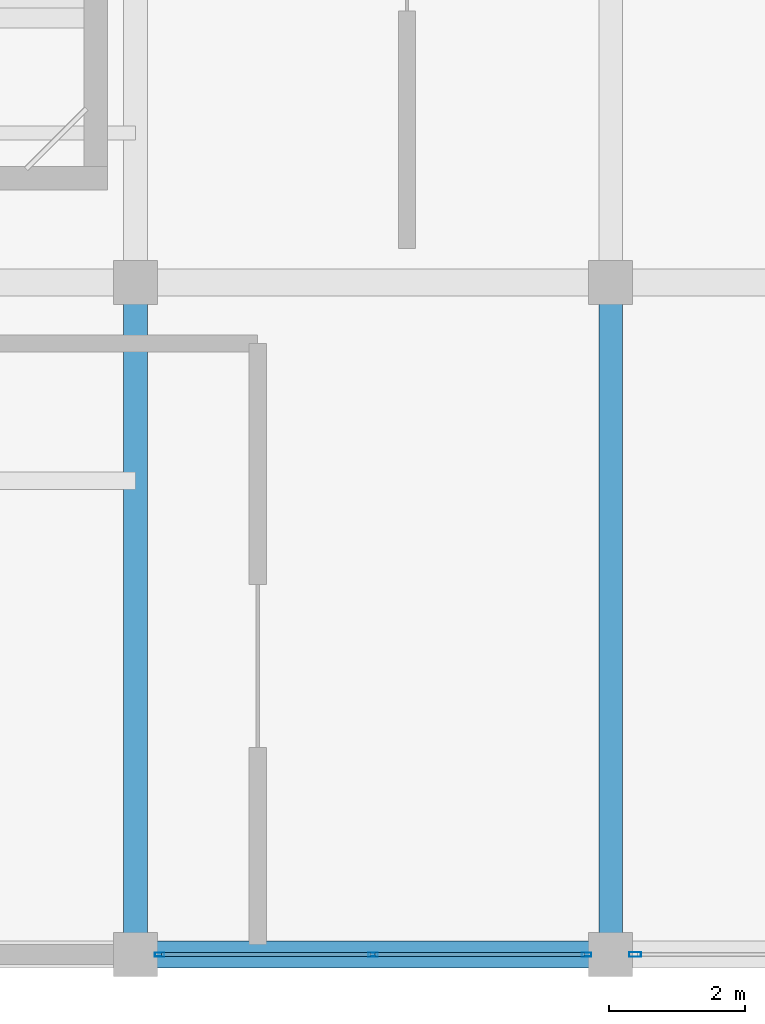
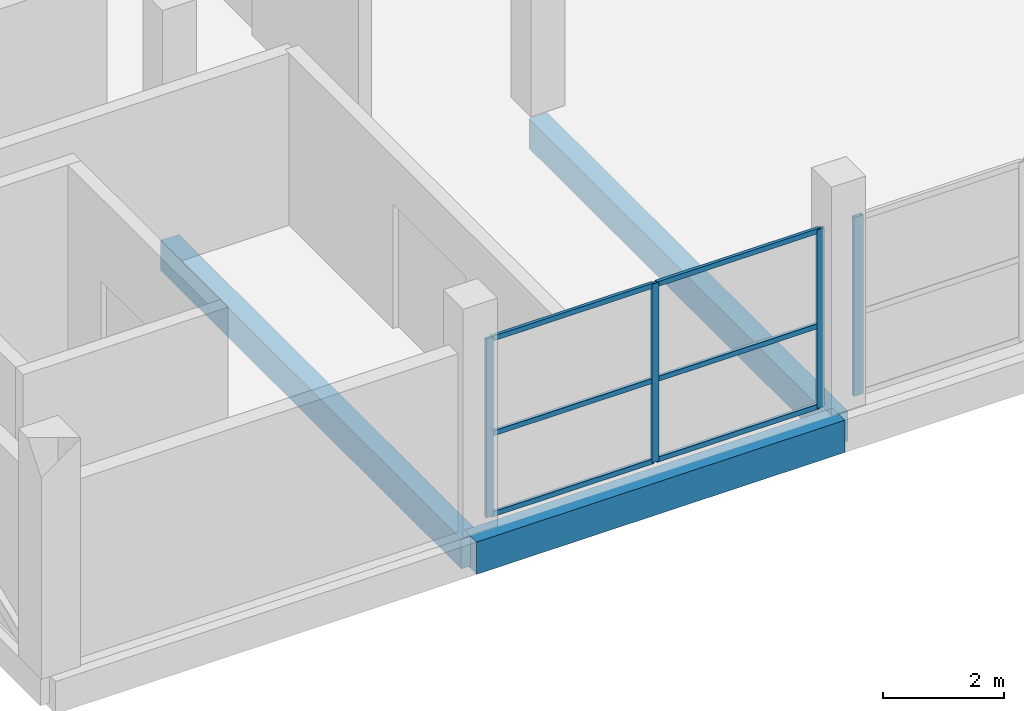
# One storey, part 2 of 69: 10 members, 3 beams, 2 elements without a shape of their own.
"""IFC4 building model written with IfcOpenShell, lengths in metres."""

from ifc_helpers import new_model, si_unit, direction, frame, origin, origin_2d, place, context, subcontext, project, spatial, rectangle, hollow_rectangle, extrude, material, layer, layer_set, material_profile, profile_set, type_object, element, aggregate, save


model = new_model("IFC4")

# Units and contexts
model_context = context("Model", 3, precision=1e-05, world=origin(), true_north=direction((0.0, 1.0)))
body_context = subcontext(model_context, "Body", "Model", "MODEL_VIEW")
ifc_project = project(units=[si_unit("LENGTHUNIT", "METRE"), si_unit("AREAUNIT", "SQUARE_METRE"), si_unit("VOLUMEUNIT", "CUBIC_METRE"), si_unit("PLANEANGLEUNIT", "RADIAN"), si_unit("MASSUNIT", "GRAM", prefix="KILO")], contexts=[model_context])

# Site, building, storey
site_placement = place(None, origin())
site = spatial("IfcSite", under=ifc_project, at=site_placement, CompositionType="ELEMENT")
building_placement = place(site_placement, origin())
building = spatial("IfcBuilding", under=site, at=building_placement, Name="Sillaruma Civic Art Gallery", CompositionType="ELEMENT")
storey_placement = place(building_placement, frame((0.0, 0.0, 42.330078125)))
storey = spatial("IfcBuildingStorey", under=building, at=storey_placement, Name="L08", CompositionType="ELEMENT", Elevation=42.330078125)

# Beams
ifc_material_1 = material(Name="Concrete H35 (35 MPa)", Category="concrete")
ifc_material_profile_1 = material_profile(ifc_material_1, rectangle(XDim=0.35009765625, YDim=0.60009765625, at=origin_2d()), Name="RCB350x600")
ifc_profile_set_1 = profile_set([ifc_material_profile_1], Name="Concrete H35 (35 MPa)")
beam_type_1 = type_object("IfcBeamType", Name="BM-BEAM-RCB350x600", PredefinedType="BEAM", material=ifc_profile_set_1)
for number, where, z_axis, x_axis, name in (
    (1, (70.0, 19.800048828125, -0.580078125), (0.0, 1.0, 0.0), (-1.0, 0.0, 0.0), "Beam BM-06 (L07:G:3-4)"),
    (2, (77.0, 19.800048828125, -0.580078125), (0.0, 1.0, 0.0), (-1.0, 0.0, 0.0), "Beam BM-06 (L07:H:3-4)"),
):
    element("IfcBeam", number, at=place(storey_placement, frame(where, z_axis=z_axis, x_axis=x_axis)), inside=storey, type_object=beam_type_1, Name=name, PredefinedType="BEAM", context=body_context, shape_type="SweptSolid", body=[
        extrude(rectangle(XDim=0.35009765625, YDim=0.60009765625, at=origin_2d()), origin(), (0.0, 0.0, 1.0), 9.89990234375),
    ])
ifc_material_profile_2 = material_profile(ifc_material_1, rectangle(XDim=0.39990234375, YDim=0.64990234375, at=origin_2d()), Name="RCB400x650")
ifc_profile_set_2 = profile_set([ifc_material_profile_2], Name="Concrete H35 (35 MPa)")
beam_type_2 = type_object("IfcBeamType", Name="BM-SPANDREL-RCB400x650", PredefinedType="SPANDREL", material=ifc_profile_set_2)
beam_placement = place(storey_placement, frame((70.0, 19.800048828125, -0.60498046875), z_axis=(1.0, 0.0, 0.0), x_axis=(0.0, 1.0, 0.0)))
element("IfcBeam", 3, at=beam_placement, inside=storey, type_object=beam_type_2, Name="Beam BS-02 (L07:3:G-H)", PredefinedType="SPANDREL", context=body_context, shape_type="SweptSolid", body=[
    extrude(rectangle(XDim=0.39990234375, YDim=0.64990234375, at=origin_2d()), origin(), (0.0, 0.0, 1.0), 7.0),
])

# Curtain wall, members
ifc_material_2 = material(Name="Thermally Broken Extruded Aluminium 6063-T6", Category="aluminium")
ifc_layer_1 = layer(ifc_material_2, 0.139892578125, Name="Thermally Broken Extruded Aluminium 6063-T6")
ifc_layer_set_1 = layer_set([ifc_layer_1], Name="Thermally Broken Extruded Aluminium 6063-T6")
curtain_wall_type_1 = type_object("IfcCurtainWallType", Name="CW-UNI-56", PredefinedType="NOTDEFINED", material=ifc_layer_set_1)
curtain_wall_1_placement = place(storey_placement, origin())
curtain_wall_1 = element("IfcCurtainWall", 4, at=curtain_wall_1_placement, inside=storey, type_object=curtain_wall_type_1, Name="Unitised Curtain Wall CW-56 (CW-L08-WBS-2)", PredefinedType="NOTDEFINED")
ifc_material_profile_3 = material_profile(ifc_material_2, hollow_rectangle(XDim=0.06005859375, YDim=0.139892578125, WallThickness=0.00341796875, at=origin_2d()), Name="CWM60x140")
ifc_profile_set_3 = profile_set([ifc_material_profile_3], Name="Thermally Broken Extruded Aluminium 6063-T6")
member_type_1 = type_object("IfcMemberType", Name="MEM-MUL-CWM60x140", PredefinedType="MULLION", material=ifc_profile_set_3)
member_1_placement = place(storey_placement, frame((70.35498046875, 19.800048828125, 0.0), z_axis=(0.0, 0.0, 1.0), x_axis=(0.0, 1.0, 0.0)))
member_1 = element("IfcMember", 5, at=member_1_placement, type_object=member_type_1, Name="CW-56 mullion 1", PredefinedType="MULLION", context=body_context, shape_type="SweptSolid", body=[
    extrude(hollow_rectangle(XDim=0.06005859375, YDim=0.139892578125, WallThickness=0.00341796875, at=origin_2d()), origin(), (0.0, 0.0, 1.0), 3.58984375),
])
member_2_placement = place(storey_placement, frame((73.5, 19.800048828125, 0.0), z_axis=(0.0, 0.0, 1.0), x_axis=(0.0, 1.0, 0.0)))
member_2 = element("IfcMember", 6, at=member_2_placement, type_object=member_type_1, Name="CW-56 mullion 2", PredefinedType="MULLION", context=body_context, shape_type="SweptSolid", body=[
    extrude(hollow_rectangle(XDim=0.06005859375, YDim=0.139892578125, WallThickness=0.00341796875, at=origin_2d()), origin(), (0.0, 0.0, 1.0), 3.58984375),
])
member_3_placement = place(storey_placement, frame((76.64501953125, 19.800048828125, 0.0), z_axis=(0.0, 0.0, 1.0), x_axis=(0.0, 1.0, 0.0)))
member_3 = element("IfcMember", 7, at=member_3_placement, type_object=member_type_1, Name="CW-56 mullion 3", PredefinedType="MULLION", context=body_context, shape_type="SweptSolid", body=[
    extrude(hollow_rectangle(XDim=0.06005859375, YDim=0.139892578125, WallThickness=0.00341796875, at=origin_2d()), origin(), (0.0, 0.0, 1.0), 3.58984375),
])

# Curtain wall, member
ifc_layer_2 = layer(ifc_material_2, 0.179931640625, Name="Thermally Broken Extruded Aluminium 6063-T6")
ifc_layer_set_2 = layer_set([ifc_layer_2], Name="Thermally Broken Extruded Aluminium 6063-T6")
curtain_wall_type_2 = type_object("IfcCurtainWallType", Name="CW-UNI-57", PredefinedType="NOTDEFINED", material=ifc_layer_set_2)
curtain_wall_2_placement = place(storey_placement, origin())
curtain_wall_2 = element("IfcCurtainWall", 8, at=curtain_wall_2_placement, inside=storey, type_object=curtain_wall_type_2, Name="Unitised Curtain Wall CW-57 (CW-L08-WBS-3)", PredefinedType="NOTDEFINED")
ifc_material_profile_4 = material_profile(ifc_material_2, hollow_rectangle(XDim=0.070068359375, YDim=0.179931640625, WallThickness=0.00390625, at=origin_2d()), Name="CWM70x180")
ifc_profile_set_4 = profile_set([ifc_material_profile_4], Name="Thermally Broken Extruded Aluminium 6063-T6")
member_type_2 = type_object("IfcMemberType", Name="MEM-MUL-CWM70x180", PredefinedType="MULLION", material=ifc_profile_set_4)
member_4_placement = place(storey_placement, frame((77.360107421875, 19.800048828125, 0.0), z_axis=(0.0, 0.0, 1.0), x_axis=(0.0, 1.0, 0.0)))
member_4 = element("IfcMember", 9, at=member_4_placement, type_object=member_type_2, Name="CW-57 mullion 1", PredefinedType="MULLION", context=body_context, shape_type="SweptSolid", body=[
    extrude(hollow_rectangle(XDim=0.070068359375, YDim=0.179931640625, WallThickness=0.00390625, at=origin_2d()), origin(), (0.0, 0.0, 1.0), 3.58984375),
])
aggregate(curtain_wall_2, [member_4])

# Member
ifc_material_profile_5 = material_profile(ifc_material_2, hollow_rectangle(XDim=0.06005859375, YDim=0.10009765625, WallThickness=0.003173828125, at=origin_2d()), Name="CWT60x100")
ifc_profile_set_5 = profile_set([ifc_material_profile_5], Name="Thermally Broken Extruded Aluminium 6063-T6")
member_type_3 = type_object("IfcMemberType", Name="MEM-TRN-CWT60x100", PredefinedType="USERDEFINED", material=ifc_profile_set_5)
member_5_placement = place(storey_placement, frame((70.385009765625, 19.800048828125, 0.030029296875), z_axis=(1.0, 0.0, 0.0), x_axis=(0.0, 1.0, 0.0)))
member_5 = element("IfcMember", 10, at=member_5_placement, type_object=member_type_3, Name="CW-56 transom 1.1", ObjectType="TRANSOM", PredefinedType="USERDEFINED", context=body_context, shape_type="SweptSolid", body=[
    extrude(hollow_rectangle(XDim=0.06005859375, YDim=0.10009765625, WallThickness=0.003173828125, at=origin_2d()), origin(), (0.0, 0.0, 1.0), 3.0849609375),
])

member_6_placement = place(storey_placement, frame((70.385009765625, 19.800048828125, 1.6513671875), z_axis=(1.0, 0.0, 0.0), x_axis=(0.0, 1.0, 0.0)))
member_6 = element("IfcMember", 11, at=member_6_placement, type_object=member_type_3, Name="CW-56 transom 1.2", ObjectType="TRANSOM", PredefinedType="USERDEFINED", context=body_context, shape_type="SweptSolid", body=[
    extrude(hollow_rectangle(XDim=0.06005859375, YDim=0.10009765625, WallThickness=0.003173828125, at=origin_2d()), origin(), (0.0, 0.0, 1.0), 3.0849609375),
])

member_7_placement = place(storey_placement, frame((70.385009765625, 19.800048828125, 3.559814453125), z_axis=(1.0, 0.0, 0.0), x_axis=(0.0, 1.0, 0.0)))
member_7 = element("IfcMember", 12, at=member_7_placement, type_object=member_type_3, Name="CW-56 transom 1.3", ObjectType="TRANSOM", PredefinedType="USERDEFINED", context=body_context, shape_type="SweptSolid", body=[
    extrude(hollow_rectangle(XDim=0.06005859375, YDim=0.10009765625, WallThickness=0.003173828125, at=origin_2d()), origin(), (0.0, 0.0, 1.0), 3.0849609375),
])

member_8_placement = place(storey_placement, frame((73.530029296875, 19.800048828125, 0.030029296875), z_axis=(1.0, 0.0, 0.0), x_axis=(0.0, 1.0, 0.0)))
member_8 = element("IfcMember", 13, at=member_8_placement, type_object=member_type_3, Name="CW-56 transom 2.1", ObjectType="TRANSOM", PredefinedType="USERDEFINED", context=body_context, shape_type="SweptSolid", body=[
    extrude(hollow_rectangle(XDim=0.06005859375, YDim=0.10009765625, WallThickness=0.003173828125, at=origin_2d()), origin(), (0.0, 0.0, 1.0), 3.0849609375),
])

member_9_placement = place(storey_placement, frame((73.530029296875, 19.800048828125, 1.6513671875), z_axis=(1.0, 0.0, 0.0), x_axis=(0.0, 1.0, 0.0)))
member_9 = element("IfcMember", 14, at=member_9_placement, type_object=member_type_3, Name="CW-56 transom 2.2", ObjectType="TRANSOM", PredefinedType="USERDEFINED", context=body_context, shape_type="SweptSolid", body=[
    extrude(hollow_rectangle(XDim=0.06005859375, YDim=0.10009765625, WallThickness=0.003173828125, at=origin_2d()), origin(), (0.0, 0.0, 1.0), 3.0849609375),
])

member_10_placement = place(storey_placement, frame((73.530029296875, 19.800048828125, 3.559814453125), z_axis=(1.0, 0.0, 0.0), x_axis=(0.0, 1.0, 0.0)))
member_10 = element("IfcMember", 15, at=member_10_placement, type_object=member_type_3, Name="CW-56 transom 2.3", ObjectType="TRANSOM", PredefinedType="USERDEFINED", context=body_context, shape_type="SweptSolid", body=[
    extrude(hollow_rectangle(XDim=0.06005859375, YDim=0.10009765625, WallThickness=0.003173828125, at=origin_2d()), origin(), (0.0, 0.0, 1.0), 3.0849609375),
])

aggregate(curtain_wall_1, [member_1, member_2, member_3, member_5, member_6, member_7, member_8, member_9, member_10])

save(model, "model.ifc")
